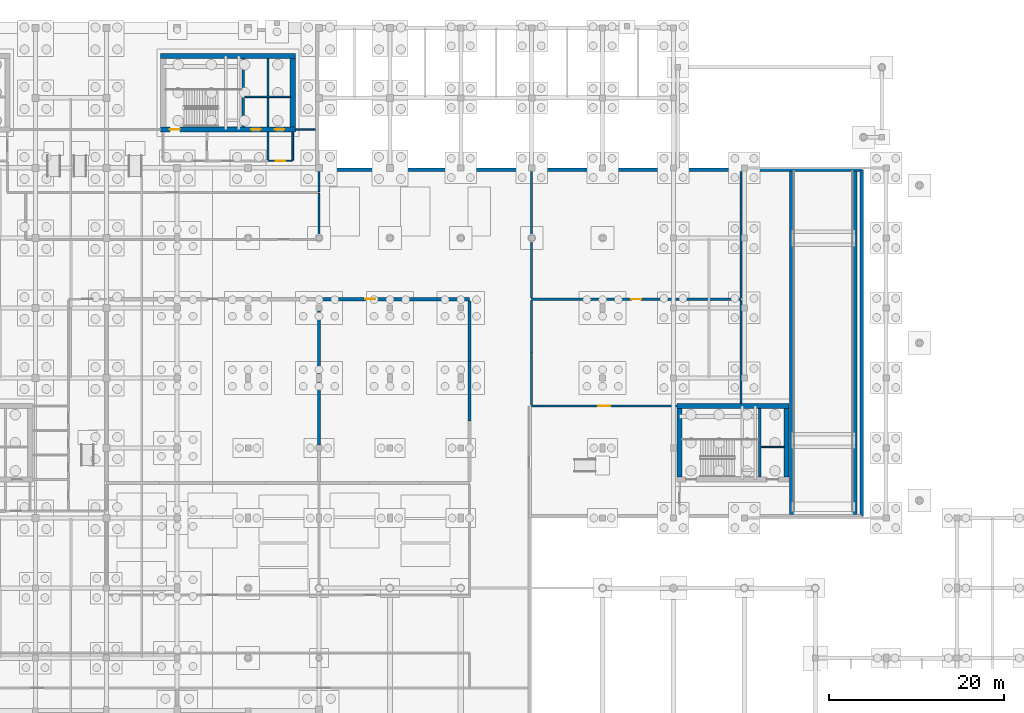
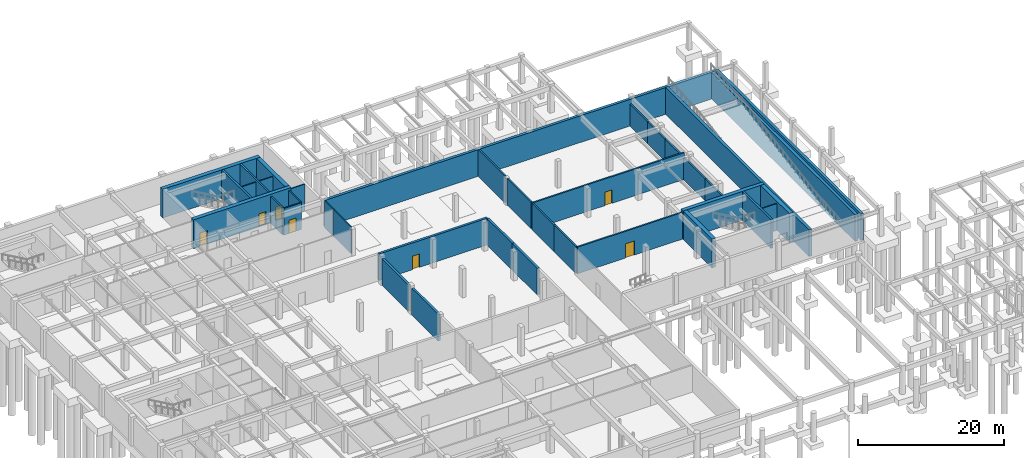
# One storey, part 18 of 25: 37 walls, 7 doors, 7 openings.
"""IFC4 building model written with IfcOpenShell, lengths in metres."""

from ifc_helpers import new_model, si_unit, direction, frame, frame_2d, origin, place, context, subcontext, project, spatial, rectangle, extrude, material, layer, layer_set, type_object, element, fill, save


model = new_model("IFC4")

# Units and contexts
model_context = context("Model", 3, precision=1e-05, world=origin(), true_north=direction((0.0, 1.0)))
body_context = subcontext(model_context, "Body", "Model", "MODEL_VIEW")
ifc_project = project(units=[si_unit("LENGTHUNIT", "METRE"), si_unit("AREAUNIT", "SQUARE_METRE"), si_unit("VOLUMEUNIT", "CUBIC_METRE"), si_unit("PLANEANGLEUNIT", "RADIAN"), si_unit("MASSUNIT", "GRAM", prefix="KILO")], contexts=[model_context])

# Site, building, storey
site_placement = place(None, origin())
site = spatial("IfcSite", under=ifc_project, at=site_placement, CompositionType="ELEMENT")
building_placement = place(site_placement, origin())
building = spatial("IfcBuilding", under=site, at=building_placement, Name="Tarnveldt Square Police Headquarters", CompositionType="ELEMENT")
storey_placement = place(building_placement, frame((0.0, 0.0, -4.800048828125)))
storey = spatial("IfcBuildingStorey", under=building, at=storey_placement, Name="B1", CompositionType="ELEMENT", Elevation=-4.800048828125)

# Walls
ifc_material_1 = material(Name="Concrete 50 MPa", Category="concrete")
ifc_layer_1 = layer(ifc_material_1, 0.449951171875)
ifc_layer_set_1 = layer_set([ifc_layer_1], Name="Concrete 50 MPa")
wall_type_1 = type_object("IfcWallType", Name="WL-CORE-450", PredefinedType="SHEAR", material=ifc_layer_set_1)
for number, where, z_axis, x_axis, name in (
    (1, (118.77490234375, 56.419921875, 0.0), (0.0, 0.0, 1.0), (0.0, 1.0, 0.0), "Vehicle Ramp VR1 W Structural Wall"),
    (2, (126.02490234375, 56.419921875, 0.0), (0.0, 0.0, 1.0), (0.0, 1.0, 0.0), "Vehicle Ramp VR1 E Structural Wall"),
):
    element("IfcWall", number, at=place(storey_placement, frame(where, z_axis=z_axis, x_axis=x_axis)), inside=storey, type_object=wall_type_1, Name=name, PredefinedType="SHEAR", context=body_context, shape_type="SweptSolid", body=[
        extrude(rectangle(XDim=39.239990234375, YDim=0.449951171875, at=frame_2d((19.6201171875, 0.0))), origin(), (0.0, 0.0, 1.0), 4.449951171875),
    ])
wall_1_placement = place(storey_placement, frame((56.14990234375, 100.699951171875, 0.0), z_axis=(0.0, 0.0, 1.0), x_axis=(0.0, 1.0, 0.0)))
element("IfcWall", 3, at=wall_1_placement, inside=storey, type_object=wall_type_1, Name="Core K3 North-Central Forensic and Firefighting Core B1 Stair-Lift Divider Shear Wall", PredefinedType="SHEAR", context=body_context, shape_type="SweptSolid", body=[
    extrude(rectangle(XDim=7.800048828125, YDim=0.300048828125, at=frame_2d((3.89990234375, 0.0))), origin(), (0.0, 0.0, 1.0), 4.800048828125),
])
wall_2_placement = place(storey_placement, frame((58.97509765625, 100.699951171875, 0.0), z_axis=(0.0, 0.0, 1.0), x_axis=(0.0, 1.0, 0.0)))
element("IfcWall", 4, at=wall_2_placement, inside=storey, type_object=wall_type_1, Name="Core K3 North-Central Forensic and Firefighting Core B1 Dual-Lift Shaft Divider Wall", PredefinedType="SHEAR", context=body_context, shape_type="SweptSolid", body=[
    extrude(rectangle(XDim=7.800048828125, YDim=0.25, at=frame_2d((3.89990234375, 0.0))), origin(), (0.0, 0.0, 1.0), 4.800048828125),
])
wall_3_placement = place(storey_placement, frame((115.14990234375, 60.699951171875, 0.0), z_axis=(0.0, 0.0, 1.0), x_axis=(0.0, 1.0, 0.0)))
element("IfcWall", 5, at=wall_3_placement, inside=storey, type_object=wall_type_1, Name="Core K4 East Custody and Tactical Core B1 Stair-Lift Divider Shear Wall", PredefinedType="SHEAR", context=body_context, shape_type="SweptSolid", body=[
    extrude(rectangle(XDim=7.800048828125, YDim=0.300048828125, at=frame_2d((3.89990234375, 0.0))), origin(), (0.0, 0.0, 1.0), 4.800048828125),
])

# Wall, openings, doors
ifc_layer_2 = layer(ifc_material_1, 0.60009765625)
ifc_layer_set_2 = layer_set([ifc_layer_2], Name="Concrete 50 MPa")
wall_type_2 = type_object("IfcWallType", Name="WL-CORE-600", PredefinedType="SHEAR", material=ifc_layer_set_2)
wall_4_placement = place(storey_placement, frame((46.699951171875, 100.39990234375, 0.0), z_axis=(0.0, 0.0, 1.0), x_axis=(1.0, 0.0, 0.0)))
wall_4 = element("IfcWall", 6, at=wall_4_placement, inside=storey, type_object=wall_type_2, Name="Core K3 North-Central Forensic and Firefighting Core B1 South Shear Wall", PredefinedType="SHEAR", context=body_context, shape_type="SweptSolid", body=[
    extrude(rectangle(XDim=15.400146484375, YDim=0.60009765625, at=frame_2d((7.7001953125, 0.0))), origin(), (0.0, 0.0, 1.0), 4.800048828125),
])
opening_1_placement = place(wall_4_placement, frame((1.050048828125, 0.0, 0.0)))
opening_1 = element("IfcOpeningElement", 7, at=opening_1_placement, cuts=wall_4, Name="Opening D-ST3-B1", PredefinedType="OPENING", context=body_context, shape_type="SweptSolid", body=[
    extrude(rectangle(XDim=1.14990234375, YDim=2.25, at=frame_2d((0.574951171875, 1.125))), frame((0.0, 0.31005859375, 0.0), z_axis=(0.0, -1.0, 0.0), x_axis=(1.0, 0.0, 0.0)), (0.0, 0.0, 1.0), 0.6201171875),
])
opening_2_placement = place(wall_4_placement, frame((10.33251953125, 0.0, 0.0)))
opening_2 = element("IfcOpeningElement", 8, at=opening_2_placement, cuts=wall_4, Name="Opening LD-LF2-B1", PredefinedType="OPENING", context=body_context, shape_type="SweptSolid", body=[
    extrude(rectangle(XDim=1.10009765625, YDim=2.199951171875, at=frame_2d((0.550048828125, 1.10009765625))), frame((0.0, 0.31005859375, 0.0), z_axis=(0.0, -1.0, 0.0), x_axis=(1.0, 0.0, 0.0)), (0.0, 0.0, 1.0), 0.6201171875),
])
opening_3_placement = place(wall_4_placement, frame((13.047607421875, 0.0, 0.0)))
opening_3 = element("IfcOpeningElement", 9, at=opening_3_placement, cuts=wall_4, Name="Opening LD-LP3-B1", PredefinedType="OPENING", context=body_context, shape_type="SweptSolid", body=[
    extrude(rectangle(XDim=1.10009765625, YDim=2.199951171875, at=frame_2d((0.550048828125, 1.10009765625))), frame((0.0, 0.31005859375, 0.0), z_axis=(0.0, -1.0, 0.0), x_axis=(1.0, 0.0, 0.0)), (0.0, 0.0, 1.0), 0.6201171875),
])
ifc_material_2 = material(Name="Insulated hollow metal steel door leaf", Category="steel")
door_type_1 = type_object("IfcDoorType", Name="DR-FD90-1150", OperationType="NOTDEFINED", PredefinedType="DOOR", material=ifc_material_2)
door_1_placement = place(opening_1_placement, frame((1.14990234375, 0.0, 0.0), z_axis=(0.0, 0.0, 1.0), x_axis=(-1.0, 0.0, 0.0)))
door_1 = element("IfcDoor", 10, at=door_1_placement, inside=storey, type_object=door_type_1, Name="Exit Stair ST3 B1 Fire Door", OperationType="SINGLE_SWING_LEFT", OverallHeight=2.25, OverallWidth=1.14990234375, PredefinedType="DOOR", context=body_context, shape_type="SweptSolid", body=[
    extrude(rectangle(XDim=1.14990234375, YDim=2.25, at=frame_2d((0.574951171875, 1.125))), frame((0.0, 0.02490234375, 0.0), z_axis=(0.0, -1.0, 0.0), x_axis=(1.0, 0.0, 0.0)), (0.0, 0.0, 1.0), 0.050048828125),
])
fill(opening_1, door_1)
ifc_material_3 = material(Name="Steel 350W", Category="steel")
door_type_2 = type_object("IfcDoorType", Name="DR-LD-1100", OperationType="DOUBLE_DOOR_SLIDING", PredefinedType="DOOR", material=ifc_material_3)
door_2_placement = place(opening_2_placement, frame((1.10009765625, 0.0, 0.0), z_axis=(0.0, 0.0, 1.0), x_axis=(-1.0, 0.0, 0.0)))
door_2 = element("IfcDoor", 11, at=door_2_placement, inside=storey, type_object=door_type_2, Name="Elevator LF2 B1 Sliding Landing Door", OperationType="DOUBLE_DOOR_SLIDING", OverallHeight=2.199951171875, OverallWidth=1.10009765625, PredefinedType="DOOR", context=body_context, shape_type="SweptSolid", body=[
    extrude(rectangle(XDim=1.10009765625, YDim=2.199951171875, at=frame_2d((0.550048828125, 1.10009765625))), frame((0.0, 0.02490234375, 0.0), z_axis=(0.0, -1.0, 0.0), x_axis=(1.0, 0.0, 0.0)), (0.0, 0.0, 1.0), 0.050048828125),
])
fill(opening_2, door_2)
door_3_placement = place(opening_3_placement, frame((1.10009765625, 0.0, 0.0), z_axis=(0.0, 0.0, 1.0), x_axis=(-1.0, 0.0, 0.0)))
door_3 = element("IfcDoor", 12, at=door_3_placement, inside=storey, type_object=door_type_2, Name="Elevator LP3 B1 Sliding Landing Door", OperationType="DOUBLE_DOOR_SLIDING", OverallHeight=2.199951171875, OverallWidth=1.10009765625, PredefinedType="DOOR", context=body_context, shape_type="SweptSolid", body=[
    extrude(rectangle(XDim=1.10009765625, YDim=2.199951171875, at=frame_2d((0.550048828125, 1.10009765625))), frame((0.0, 0.02490234375, 0.0), z_axis=(0.0, -1.0, 0.0), x_axis=(1.0, 0.0, 0.0)), (0.0, 0.0, 1.0), 0.050048828125),
])
fill(opening_3, door_3)

# Walls
wall_5_placement = place(storey_placement, frame((46.699951171875, 108.800048828125, 0.0), z_axis=(0.0, 0.0, 1.0), x_axis=(1.0, 0.0, 0.0)))
element("IfcWall", 13, at=wall_5_placement, inside=storey, type_object=wall_type_2, Name="Core K3 North-Central Forensic and Firefighting Core B1 North Shear Wall", PredefinedType="SHEAR", context=body_context, shape_type="SweptSolid", body=[
    extrude(rectangle(XDim=15.400146484375, YDim=0.60009765625, at=frame_2d((7.7001953125, 0.0))), origin(), (0.0, 0.0, 1.0), 4.800048828125),
])
wall_6_placement = place(storey_placement, frame((61.800048828125, 100.699951171875, 0.0), z_axis=(0.0, 0.0, 1.0), x_axis=(0.0, 1.0, 0.0)))
element("IfcWall", 14, at=wall_6_placement, inside=storey, type_object=wall_type_2, Name="Core K3 North-Central Forensic and Firefighting Core B1 East Shear Wall", PredefinedType="SHEAR", context=body_context, shape_type="SweptSolid", body=[
    extrude(rectangle(XDim=7.800048828125, YDim=0.60009765625, at=frame_2d((3.89990234375, 0.0))), origin(), (0.0, 0.0, 1.0), 4.800048828125),
])
wall_7_placement = place(storey_placement, frame((105.699951171875, 68.800048828125, 0.0), z_axis=(0.0, 0.0, 1.0), x_axis=(1.0, 0.0, 0.0)))
element("IfcWall", 15, at=wall_7_placement, inside=storey, type_object=wall_type_2, Name="Core K4 East Custody and Tactical Core B1 North Shear Wall", PredefinedType="SHEAR", context=body_context, shape_type="SweptSolid", body=[
    extrude(rectangle(XDim=12.800048828125, YDim=0.60009765625, at=frame_2d((6.39990234375, 0.0))), origin(), (0.0, 0.0, 1.0), 4.800048828125),
])
for number, where, z_axis, x_axis, name in (
    (16, (106.0, 60.699951171875, 0.0), (0.0, 0.0, 1.0), (0.0, 1.0, 0.0), "Core K4 East Custody and Tactical Core B1 West Shear Wall"),
    (17, (118.199951171875, 60.699951171875, 0.0), (0.0, 0.0, 1.0), (0.0, 1.0, 0.0), "Core K4 East Custody and Tactical Core B1 East Shear Wall"),
):
    element("IfcWall", number, at=place(storey_placement, frame(where, z_axis=z_axis, x_axis=x_axis)), inside=storey, type_object=wall_type_2, Name=name, PredefinedType="SHEAR", context=body_context, shape_type="SweptSolid", body=[
        extrude(rectangle(XDim=7.800048828125, YDim=0.60009765625, at=frame_2d((3.89990234375, 0.0))), origin(), (0.0, 0.0, 1.0), 4.800048828125),
    ])

# Wall, opening, door
ifc_material_4 = material(Name="Concrete 40 MPa", Category="concrete")
ifc_layer_3 = layer(ifc_material_4, 0.35009765625)
ifc_layer_set_3 = layer_set([ifc_layer_3], Name="Concrete 40 MPa")
wall_type_3 = type_object("IfcWallType", Name="WL-CUST-350", PredefinedType="SOLIDWALL", material=ifc_layer_set_3)
wall_8_placement = place(storey_placement, frame((64.800048828125, 81.0, 0.0), z_axis=(0.0, 0.0, 1.0), x_axis=(1.0, 0.0, 0.0)))
wall_8 = element("IfcWall", 18, at=wall_8_placement, inside=storey, type_object=wall_type_3, Name="B1 Interior Partition Wall 0048", PredefinedType="SOLIDWALL", context=body_context, shape_type="SweptSolid", body=[
    extrude(rectangle(XDim=17.199951171875, YDim=0.35009765625, at=frame_2d((8.60009765625, 0.0))), origin(), (0.0, 0.0, 1.0), 4.449951171875),
])
opening_4_placement = place(wall_8_placement, frame((5.298095703125, 0.0, 0.0)))
opening_4 = element("IfcOpeningElement", 19, at=opening_4_placement, cuts=wall_8, Name="Opening D12", PredefinedType="OPENING", context=body_context, shape_type="SweptSolid", body=[
    extrude(rectangle(XDim=1.10009765625, YDim=2.25, at=frame_2d((0.550048828125, 1.125))), frame((0.0, 0.18505859375, 0.0), z_axis=(0.0, -1.0, 0.0), x_axis=(1.0, 0.0, 0.0)), (0.0, 0.0, 1.0), 0.3701171875),
])
door_type_3 = type_object("IfcDoorType", Name="DR-SEC-1100", OperationType="NOTDEFINED", PredefinedType="DOOR", material=ifc_material_3)
door_4_placement = place(opening_4_placement, frame((1.10009765625, 0.0, 0.0), z_axis=(0.0, 0.0, 1.0), x_axis=(-1.0, 0.0, 0.0)))
door_4 = element("IfcDoor", 20, at=door_4_placement, inside=storey, type_object=door_type_3, Name="Central Quartermaster and Armoury Vault Door", OperationType="SINGLE_SWING_RIGHT", OverallHeight=2.25, OverallWidth=1.10009765625, PredefinedType="DOOR", context=body_context, shape_type="SweptSolid", body=[
    extrude(rectangle(XDim=1.10009765625, YDim=2.25, at=frame_2d((0.550048828125, 1.125))), frame((0.0, 0.02490234375, 0.0), z_axis=(0.0, -1.0, 0.0), x_axis=(1.0, 0.0, 0.0)), (0.0, 0.0, 1.0), 0.050048828125),
])
fill(opening_4, door_4)

# Walls
for number, where, z_axis, x_axis, name in (
    (21, (64.800048828125, 64.3330078125, 0.0), (0.0, 0.0, 1.0), (0.0, 1.0, 0.0), "B1 Interior Partition Wall 0081"),
    (22, (64.800048828125, 72.4580078125, 0.0), (0.0, 0.0, 1.0), (0.0, 1.0, 0.0), "B1 Interior Partition Wall 0082"),
):
    element("IfcWall", number, at=place(storey_placement, frame(where, z_axis=z_axis, x_axis=x_axis)), inside=storey, type_object=wall_type_3, Name=name, PredefinedType="SOLIDWALL", context=body_context, shape_type="SweptSolid", body=[
        extrude(rectangle(XDim=7.208984375, YDim=0.35009765625, at=frame_2d((3.6044921875, 0.0))), origin(), (0.0, 0.0, 1.0), 4.449951171875),
    ])
for number, where, z_axis, x_axis, name in (
    (23, (82.0, 67.06103515625, 0.0), (0.0, 0.0, 1.0), (0.0, 1.0, 0.0), "B1 Interior Partition Wall 0089"),
    (24, (82.0, 73.93896484375, 0.0), (0.0, 0.0, 1.0), (0.0, 1.0, 0.0), "B1 Interior Partition Wall 0090"),
):
    element("IfcWall", number, at=place(storey_placement, frame(where, z_axis=z_axis, x_axis=x_axis)), inside=storey, type_object=wall_type_3, Name=name, PredefinedType="SOLIDWALL", context=body_context, shape_type="SweptSolid", body=[
        extrude(rectangle(XDim=6.8779296875, YDim=0.35009765625, at=frame_2d((3.43896484375, 0.0))), origin(), (0.0, 0.0, 1.0), 4.449951171875),
    ])

# Wall, opening, door
ifc_material_5 = material(Name="Fire-rated Type X gypsum board on steel studs", Category="steel")
ifc_layer_4 = layer(ifc_material_5, 0.179931640625)
ifc_layer_set_4 = layer_set([ifc_layer_4], Name="Fire-rated Type X gypsum board on steel studs")
wall_type_4 = type_object("IfcWallType", Name="WL-FIRE-180", PredefinedType="PARTITIONING", material=ifc_layer_set_4)
wall_9_placement = place(storey_placement, frame((58.97509765625, 96.800048828125, 0.0), z_axis=(0.0, 0.0, 1.0), x_axis=(1.0, 0.0, 0.0)))
wall_9 = element("IfcWall", 25, at=wall_9_placement, inside=storey, type_object=wall_type_4, Name="B1 Interior Partition Wall 0042", PredefinedType="PARTITIONING", context=body_context, shape_type="SweptSolid", body=[
    extrude(rectangle(XDim=2.824951171875, YDim=0.179931640625, at=frame_2d((1.41259765625, 0.0))), origin(), (0.0, 0.0, 1.0), 4.449951171875),
])
opening_5_placement = place(wall_9_placement, frame((0.862548828125, 0.0, 0.0)))
opening_5 = element("IfcOpeningElement", 26, at=opening_5_placement, cuts=wall_9, Name="Opening D15", PredefinedType="OPENING", context=body_context, shape_type="SweptSolid", body=[
    extrude(rectangle(XDim=1.10009765625, YDim=2.199951171875, at=frame_2d((0.550048828125, 1.10009765625))), frame((0.0, 0.099853515625, 0.0), z_axis=(0.0, -1.0, 0.0), x_axis=(1.0, 0.0, 0.0)), (0.0, 0.0, 1.0), 0.199951171875),
])
door_type_4 = type_object("IfcDoorType", Name="DR-FD60-1100", OperationType="NOTDEFINED", PredefinedType="DOOR", material=ifc_material_2)
door_5_placement = place(opening_5_placement, frame((1.10009765625, 0.0, 0.0), z_axis=(0.0, 0.0, 1.0), x_axis=(-1.0, 0.0, 0.0)))
door_5 = element("IfcDoor", 27, at=door_5_placement, inside=storey, type_object=door_type_4, Name="Passenger Lift Lobby K3-B1 Door", OperationType="SINGLE_SWING_RIGHT", OverallHeight=2.199951171875, OverallWidth=1.10009765625, PredefinedType="DOOR", context=body_context, shape_type="SweptSolid", body=[
    extrude(rectangle(XDim=1.10009765625, YDim=2.199951171875, at=frame_2d((0.550048828125, 1.10009765625))), frame((0.0, 0.02490234375, 0.0), z_axis=(0.0, -1.0, 0.0), x_axis=(1.0, 0.0, 0.0)), (0.0, 0.0, 1.0), 0.050048828125),
])
fill(opening_5, door_5)

# Walls
wall_10_placement = place(storey_placement, frame((62.10009765625, 100.39990234375, 0.0), z_axis=(0.0, 0.0, 1.0), x_axis=(1.0, 0.0, 0.0)))
element("IfcWall", 28, at=wall_10_placement, inside=storey, type_object=wall_type_4, Name="B1 Interior Partition Wall 0043", PredefinedType="PARTITIONING", context=body_context, shape_type="SweptSolid", body=[
    extrude(rectangle(XDim=2.27197265625, YDim=0.179931640625, at=frame_2d((1.135986328125, 0.0))), origin(), (0.0, 0.0, 1.0), 4.449951171875),
])
wall_11_placement = place(storey_placement, frame((61.800048828125, 96.89794921875, 0.0), z_axis=(0.0, 0.0, 1.0), x_axis=(0.0, 1.0, 0.0)))
element("IfcWall", 29, at=wall_11_placement, inside=storey, type_object=wall_type_4, Name="B1 Interior Partition Wall 0077", PredefinedType="PARTITIONING", context=body_context, shape_type="SweptSolid", body=[
    extrude(rectangle(XDim=3.194091796875, YDim=0.179931640625, at=frame_2d((1.59716796875, 0.0))), origin(), (0.0, 0.0, 1.0), 4.449951171875),
])
wall_12_placement = place(storey_placement, frame((64.800048828125, 88.30810546875, 0.0), z_axis=(0.0, 0.0, 1.0), x_axis=(0.0, 1.0, 0.0)))
element("IfcWall", 30, at=wall_12_placement, inside=storey, type_object=wall_type_4, Name="B1 Interior Partition Wall 0083", PredefinedType="PARTITIONING", context=body_context, shape_type="SweptSolid", body=[
    extrude(rectangle(XDim=4.7939453125, YDim=0.179931640625, at=frame_2d((2.39697265625, 0.0))), origin(), (0.0, 0.0, 1.0), 4.449951171875),
])
wall_13_placement = place(storey_placement, frame((64.800048828125, 93.298095703125, 0.0), z_axis=(0.0, 0.0, 1.0), x_axis=(0.0, 1.0, 0.0)))
element("IfcWall", 31, at=wall_13_placement, inside=storey, type_object=wall_type_4, Name="B1 Interior Partition Wall 0084", PredefinedType="PARTITIONING", context=body_context, shape_type="SweptSolid", body=[
    extrude(rectangle(XDim=2.27392578125, YDim=0.179931640625, at=frame_2d((1.136962890625, 0.0))), origin(), (0.0, 0.0, 1.0), 4.449951171875),
])

# Wall, opening, door
ifc_material_6 = material(Name="Concrete block masonry 15 MPa", Category="masonry")
ifc_layer_5 = layer(ifc_material_6, 0.239990234375)
ifc_layer_set_5 = layer_set([ifc_layer_5], Name="Concrete block masonry 15 MPa")
wall_type_5 = type_object("IfcWallType", Name="WL-FIRE-240", PredefinedType="PARTITIONING", material=ifc_layer_set_5)
wall_14_placement = place(storey_placement, frame((89.10009765625, 68.800048828125, 0.0), z_axis=(0.0, 0.0, 1.0), x_axis=(1.0, 0.0, 0.0)))
wall_14 = element("IfcWall", 32, at=wall_14_placement, inside=storey, type_object=wall_type_5, Name="B1 Interior Partition Wall 0050", PredefinedType="PARTITIONING", context=body_context, shape_type="SweptSolid", body=[
    extrude(rectangle(XDim=16.599853515625, YDim=0.239990234375, at=frame_2d((8.2998046875, 0.0))), origin(), (0.0, 0.0, 1.0), 4.449951171875),
])
opening_6_placement = place(wall_14_placement, frame((7.60009765625, 0.0, 0.0)))
opening_6 = element("IfcOpeningElement", 33, at=opening_6_placement, cuts=wall_14, Name="Opening D21", PredefinedType="OPENING", context=body_context, shape_type="SweptSolid", body=[
    extrude(rectangle(XDim=1.39990234375, YDim=2.35009765625, at=frame_2d((0.699951171875, 1.175048828125))), frame((0.0, 0.1298828125, 0.0), z_axis=(0.0, -1.0, 0.0), x_axis=(1.0, 0.0, 0.0)), (0.0, 0.0, 1.0), 0.260009765625),
])
door_type_5 = type_object("IfcDoorType", Name="DR-FD90-1400", OperationType="DOUBLE_DOOR_SINGLE_SWING", PredefinedType="DOOR", material=ifc_material_2)
door_6_placement = place(opening_6_placement, origin())
door_6 = element("IfcDoor", 34, at=door_6_placement, inside=storey, type_object=door_type_5, Name="Primary Hydro Vault and Switchgear Room Door", OperationType="DOUBLE_DOOR_SINGLE_SWING", OverallHeight=2.35009765625, OverallWidth=1.39990234375, PredefinedType="DOOR", context=body_context, shape_type="SweptSolid", body=[
    extrude(rectangle(XDim=1.39990234375, YDim=2.35009765625, at=frame_2d((0.699951171875, 1.175048828125))), frame((0.0, 0.02490234375, 0.0), z_axis=(0.0, -1.0, 0.0), x_axis=(1.0, 0.0, 0.0)), (0.0, 0.0, 1.0), 0.050048828125),
])
fill(opening_6, door_6)

wall_15_placement = place(storey_placement, frame((89.10009765625, 81.0, 0.0), z_axis=(0.0, 0.0, 1.0), x_axis=(1.0, 0.0, 0.0)))
wall_15 = element("IfcWall", 35, at=wall_15_placement, inside=storey, type_object=wall_type_5, Name="B1 Interior Partition Wall 0051", PredefinedType="PARTITIONING", context=body_context, shape_type="SweptSolid", body=[
    extrude(rectangle(XDim=23.89990234375, YDim=0.239990234375, at=frame_2d((11.949951171875, 0.0))), origin(), (0.0, 0.0, 1.0), 4.449951171875),
])
opening_7_placement = place(wall_15_placement, frame((11.39990234375, 0.0, 0.0)))
opening_7 = element("IfcOpeningElement", 36, at=opening_7_placement, cuts=wall_15, Name="Opening D18", PredefinedType="OPENING", context=body_context, shape_type="SweptSolid", body=[
    extrude(rectangle(XDim=1.10009765625, YDim=2.25, at=frame_2d((0.550048828125, 1.125))), frame((0.0, 0.1298828125, 0.0), z_axis=(0.0, -1.0, 0.0), x_axis=(1.0, 0.0, 0.0)), (0.0, 0.0, 1.0), 0.260009765625),
])
door_type_6 = type_object("IfcDoorType", Name="DR-FD90-1100", OperationType="NOTDEFINED", PredefinedType="DOOR", material=ifc_material_2)
door_7_placement = place(opening_7_placement, origin())
door_7 = element("IfcDoor", 37, at=door_7_placement, inside=storey, type_object=door_type_6, Name="Cold-Case Exhibit Cold Storage Room Door", OperationType="SINGLE_SWING_LEFT", OverallHeight=2.25, OverallWidth=1.10009765625, PredefinedType="DOOR", context=body_context, shape_type="SweptSolid", body=[
    extrude(rectangle(XDim=1.10009765625, YDim=2.25, at=frame_2d((0.550048828125, 1.125))), frame((0.0, 0.02490234375, 0.0), z_axis=(0.0, -1.0, 0.0), x_axis=(1.0, 0.0, 0.0)), (0.0, 0.0, 1.0), 0.050048828125),
])
fill(opening_7, door_7)

# Walls
wall_16_placement = place(storey_placement, frame((58.97509765625, 96.927978515625, 0.0), z_axis=(0.0, 0.0, 1.0), x_axis=(0.0, 1.0, 0.0)))
element("IfcWall", 38, at=wall_16_placement, inside=storey, type_object=wall_type_5, Name="B1 Interior Partition Wall 0076", PredefinedType="PARTITIONING", context=body_context, shape_type="SweptSolid", body=[
    extrude(rectangle(XDim=3.1640625, YDim=0.239990234375, at=frame_2d((1.58203125, 0.0))), origin(), (0.0, 0.0, 1.0), 4.449951171875),
])
wall_17_placement = place(storey_placement, frame((89.10009765625, 68.927978515625, 0.0), z_axis=(0.0, 0.0, 1.0), x_axis=(0.0, 1.0, 0.0)))
element("IfcWall", 39, at=wall_17_placement, inside=storey, type_object=wall_type_5, Name="B1 Interior Partition Wall 0092", PredefinedType="PARTITIONING", context=body_context, shape_type="SweptSolid", body=[
    extrude(rectangle(XDim=5.971923828125, YDim=0.239990234375, at=frame_2d((2.98583984375, 0.0))), origin(), (0.0, 0.0, 1.0), 4.449951171875),
])
wall_18_placement = place(storey_placement, frame((89.10009765625, 74.89990234375, 0.0), z_axis=(0.0, 0.0, 1.0), x_axis=(0.0, 1.0, 0.0)))
element("IfcWall", 40, at=wall_18_placement, inside=storey, type_object=wall_type_5, Name="B1 Interior Partition Wall 0093", PredefinedType="PARTITIONING", context=body_context, shape_type="SweptSolid", body=[
    extrude(rectangle(XDim=5.97216796875, YDim=0.239990234375, at=frame_2d((2.986083984375, 0.0))), origin(), (0.0, 0.0, 1.0), 4.449951171875),
])
wall_19_placement = place(storey_placement, frame((89.10009765625, 81.1279296875, 0.0), z_axis=(0.0, 0.0, 1.0), x_axis=(0.0, 1.0, 0.0)))
element("IfcWall", 41, at=wall_19_placement, inside=storey, type_object=wall_type_5, Name="B1 Interior Partition Wall 0094", PredefinedType="PARTITIONING", context=body_context, shape_type="SweptSolid", body=[
    extrude(rectangle(XDim=6.56396484375, YDim=0.239990234375, at=frame_2d((3.281982421875, 0.0))), origin(), (0.0, 0.0, 1.0), 4.449951171875),
])
wall_20_placement = place(storey_placement, frame((89.10009765625, 88.30810546875, 0.0), z_axis=(0.0, 0.0, 1.0), x_axis=(0.0, 1.0, 0.0)))
element("IfcWall", 42, at=wall_20_placement, inside=storey, type_object=wall_type_5, Name="B1 Interior Partition Wall 0095", PredefinedType="PARTITIONING", context=body_context, shape_type="SweptSolid", body=[
    extrude(rectangle(XDim=7.263916015625, YDim=0.239990234375, at=frame_2d((3.6318359375, 0.0))), origin(), (0.0, 0.0, 1.0), 4.449951171875),
])
for number, where, z_axis, x_axis, name in (
    (43, (113.0, 69.10791015625, 0.0), (0.0, 0.0, 1.0), (0.0, 1.0, 0.0), "B1 Interior Partition Wall 0097"),
    (44, (113.0, 74.989990234375, 0.0), (0.0, 0.0, 1.0), (0.0, 1.0, 0.0), "B1 Interior Partition Wall 0098"),
):
    element("IfcWall", number, at=place(storey_placement, frame(where, z_axis=z_axis, x_axis=x_axis)), inside=storey, type_object=wall_type_5, Name=name, PredefinedType="PARTITIONING", context=body_context, shape_type="SweptSolid", body=[
        extrude(rectangle(XDim=5.882080078125, YDim=0.239990234375, at=frame_2d((2.94091796875, 0.0))), origin(), (0.0, 0.0, 1.0), 3.692138671875),
    ])
for number, where, z_axis, x_axis, name in (
    (45, (113.0, 81.1279296875, 0.0), (0.0, 0.0, 1.0), (0.0, 1.0, 0.0), "B1 Interior Partition Wall 0099"),
    (46, (113.0, 85.942626953125, 0.0), (0.0, 0.0, 1.0), (0.0, 1.0, 0.0), "B1 Interior Partition Wall 0100"),
    (47, (113.0, 90.75732421875, 0.0), (0.0, 0.0, 1.0), (0.0, 1.0, 0.0), "B1 Interior Partition Wall 0101"),
):
    element("IfcWall", number, at=place(storey_placement, frame(where, z_axis=z_axis, x_axis=x_axis)), inside=storey, type_object=wall_type_5, Name=name, PredefinedType="PARTITIONING", context=body_context, shape_type="SweptSolid", body=[
        extrude(rectangle(XDim=4.814697265625, YDim=0.239990234375, at=frame_2d((2.4072265625, 0.0))), origin(), (0.0, 0.0, 1.0), 3.692138671875),
    ])
ifc_layer_6 = layer(ifc_material_4, 0.419921875)
ifc_layer_set_6 = layer_set([ifc_layer_6], Name="Concrete 40 MPa")
wall_type_6 = type_object("IfcWallType", Name="WL-RET-420", PredefinedType="USERDEFINED", material=ifc_layer_set_6)
wall_21_placement = place(storey_placement, frame((64.800048828125, 95.7900390625, 0.0), z_axis=(0.0, 0.0, 1.0), x_axis=(1.0, 0.0, 0.0)))
element("IfcWall", 48, at=wall_21_placement, inside=storey, type_object=wall_type_6, Name="Basement Perimeter Retaining Wall 21", ObjectType="RETAINING WALL", PredefinedType="USERDEFINED", context=body_context, shape_type="SweptSolid", body=[
    extrude(rectangle(XDim=61.989990234375, YDim=0.419921875, at=frame_2d((30.9951171875, 0.0))), origin(), (0.0, 0.0, 1.0), 4.449951171875),
])
wall_22_placement = place(storey_placement, frame((126.7900390625, 95.7900390625, 0.0), z_axis=(0.0, 0.0, 1.0), x_axis=(0.0, -1.0, 0.0)))
element("IfcWall", 49, at=wall_22_placement, inside=storey, type_object=wall_type_6, Name="Basement Perimeter Retaining Wall 22", ObjectType="RETAINING WALL", PredefinedType="USERDEFINED", context=body_context, shape_type="SweptSolid", body=[
    extrude(rectangle(XDim=39.580078125, YDim=0.419921875, at=frame_2d((19.7900390625, 0.0))), origin(), (0.0, 0.0, 1.0), 4.449951171875),
])
ifc_layer_7 = layer(ifc_material_5, 0.14990234375)
ifc_layer_set_7 = layer_set([ifc_layer_7], Name="Fire-rated Type X gypsum board on steel studs")
wall_type_7 = type_object("IfcWallType", Name="WL-SHAFT-150", PredefinedType="PARTITIONING", material=ifc_layer_set_7)
wall_23_placement = place(storey_placement, frame((56.300048828125, 104.1201171875, 0.0), z_axis=(0.0, 0.0, 1.0), x_axis=(1.0, 0.0, 0.0)))
element("IfcWall", 50, at=wall_23_placement, inside=storey, type_object=wall_type_7, Name="K3 B1 Elevator Shaft Back Wall", PredefinedType="PARTITIONING", context=body_context, shape_type="SweptSolid", body=[
    extrude(rectangle(XDim=5.25, YDim=0.14990234375, at=frame_2d((2.625, 0.0))), origin(), (0.0, 0.0, 1.0), 4.449951171875),
])
wall_24_placement = place(storey_placement, frame((115.300048828125, 64.1201171875, 0.0), z_axis=(0.0, 0.0, 1.0), x_axis=(1.0, 0.0, 0.0)))
element("IfcWall", 51, at=wall_24_placement, inside=storey, type_object=wall_type_7, Name="K4 B1 Elevator Shaft Back Wall", PredefinedType="PARTITIONING", context=body_context, shape_type="SweptSolid", body=[
    extrude(rectangle(XDim=2.64990234375, YDim=0.14990234375, at=frame_2d((1.324951171875, 0.0))), origin(), (0.0, 0.0, 1.0), 4.449951171875),
])

save(model, "model.ifc")
